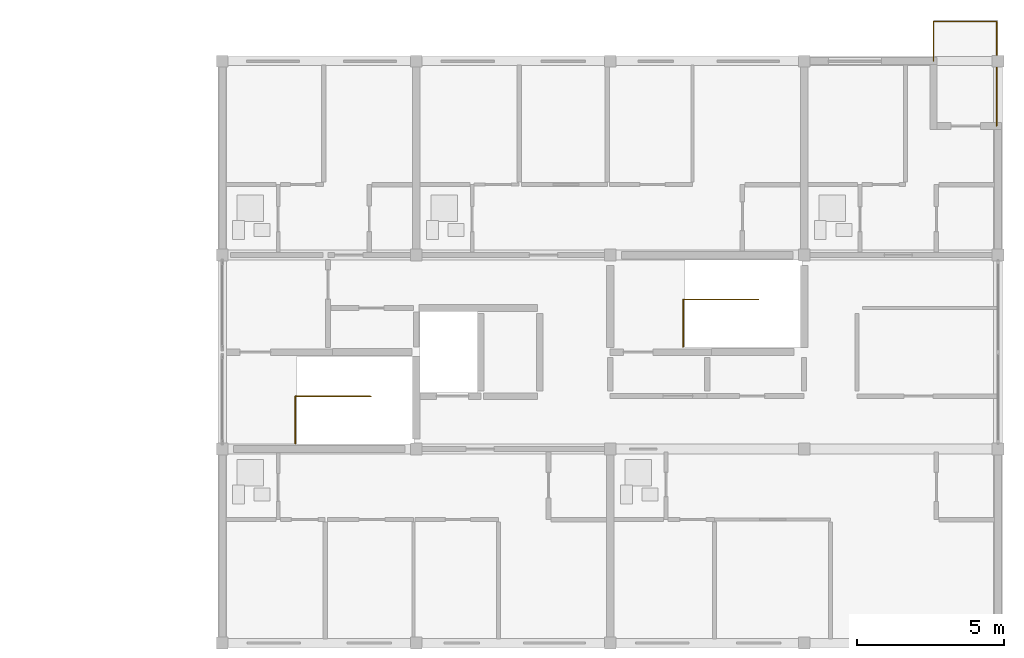
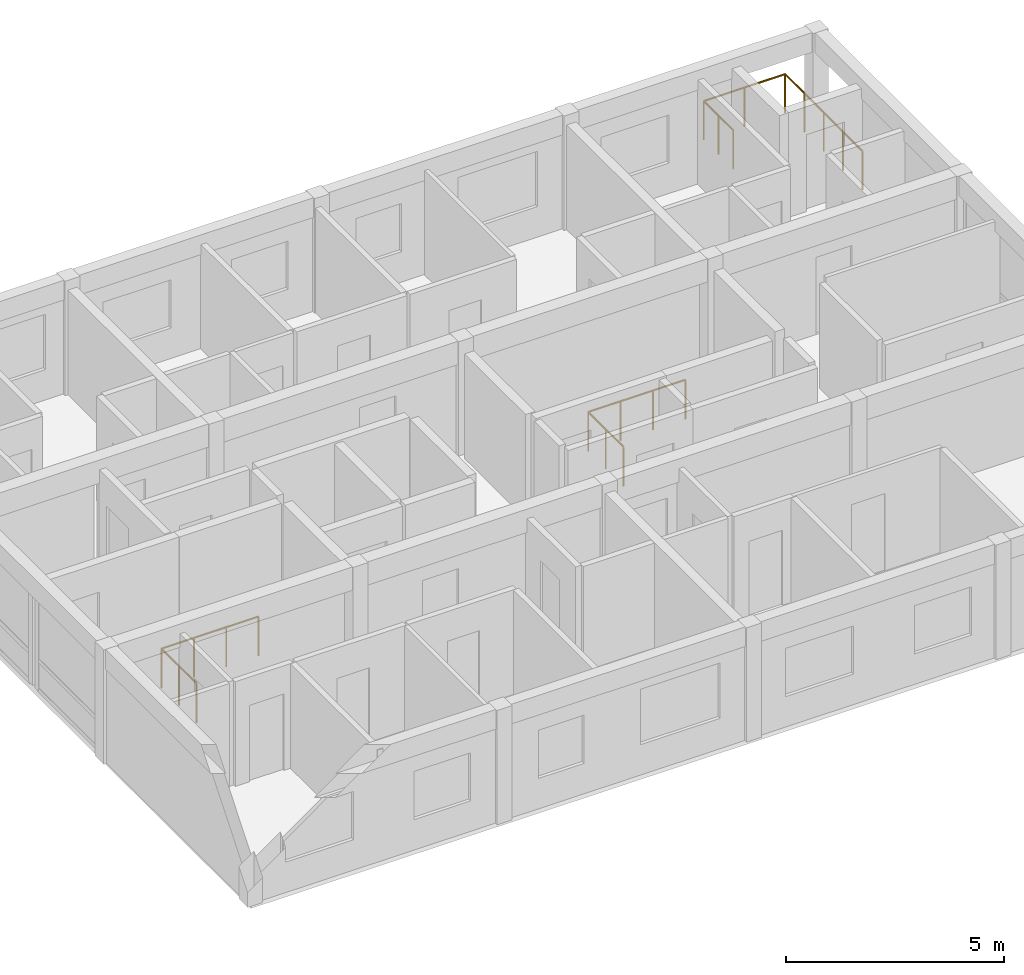
# One storey, part 22 of 23: 3 railings.
"""IFC4 building model written with IfcOpenShell, lengths in metres."""

from ifc_helpers import new_model, si_unit, direction, frame, origin, origin_2d, place, context, subcontext, project, spatial, circle, extrude, material, type_object, element, save


model = new_model("IFC4")

# Units and contexts
model_context = context("Model", 3, precision=1e-05, world=origin(), true_north=direction((0.0, 1.0)))
body_context = subcontext(model_context, "Body", "Model", "MODEL_VIEW")
ifc_project = project(units=[si_unit("LENGTHUNIT", "METRE"), si_unit("AREAUNIT", "SQUARE_METRE"), si_unit("VOLUMEUNIT", "CUBIC_METRE"), si_unit("PLANEANGLEUNIT", "RADIAN"), si_unit("MASSUNIT", "GRAM", prefix="KILO")], contexts=[model_context])

# Site, building, storey
site_placement = place(None, origin())
site = spatial("IfcSite", under=ifc_project, at=site_placement, CompositionType="ELEMENT")
building_placement = place(site_placement, origin())
building = spatial("IfcBuilding", under=site, at=building_placement, Name="Kernevlak Ridge Housing Community", CompositionType="ELEMENT")
storey_placement = place(building_placement, frame((0.0, 0.0, 46.800048828125)))
storey = spatial("IfcBuildingStorey", under=building, at=storey_placement, Name="L14", CompositionType="ELEMENT", Elevation=46.800048828125)

# Railings
ifc_material = material(Name="Steel S355", Category="steel")
railing_type_1 = type_object("IfcRailingType", Name="BL-01", PredefinedType="BALUSTRADE", material=ifc_material)
railing_1_placement = place(storey_placement, frame((143.60009765625, 102.39990234375, 0.0)))
element("IfcRailing", 1, at=railing_1_placement, inside=storey, type_object=railing_type_1, Name="Block B L14 balcony balustrade BL-01 33", PredefinedType="BALUSTRADE", context=body_context, shape_type="SweptSolid", body=[
    extrude(circle(Radius=0.02392578125, at=origin_2d()), frame((0.0, 0.0, 1.076171875), z_axis=(0.0, 1.0, 0.0), x_axis=(-1.0, 0.0, 0.0)), (0.0, 0.0, 1.0), 1.35009765625),
    extrude(circle(Radius=0.02392578125, at=origin_2d()), frame((0.0, 1.35009765625, 1.076171875), z_axis=(1.0, 0.0, 0.0), x_axis=(0.0, 1.0, 0.0)), (0.0, 0.0, 1.0), 2.14990234375),
    extrude(circle(Radius=0.02392578125, at=origin_2d()), frame((2.14990234375, 1.35009765625, 1.076171875), z_axis=(0.0, -1.0, 0.0), x_axis=(1.0, 0.0, 0.0)), (0.0, 0.0, 1.0), 3.550048828125),
    extrude(circle(Radius=0.02099609375, at=origin_2d()), origin(), (0.0, 0.0, 1.0), 1.052001953125),
    extrude(circle(Radius=0.02099609375, at=origin_2d()), frame((0.0, 0.675048828125, 0.0)), (0.0, 0.0, 1.0), 1.052001953125),
    extrude(circle(Radius=0.02099609375, at=origin_2d()), frame((0.0, 1.35009765625, 0.0)), (0.0, 0.0, 1.0), 1.052001953125),
    extrude(circle(Radius=0.02099609375, at=origin_2d()), frame((1.074951171875, 1.35009765625, 0.0)), (0.0, 0.0, 1.0), 1.052001953125),
    extrude(circle(Radius=0.02099609375, at=origin_2d()), frame((2.14990234375, 1.35009765625, 0.0)), (0.0, 0.0, 1.0), 1.052001953125),
    extrude(circle(Radius=0.02099609375, at=origin_2d()), frame((2.14990234375, 0.462646484375, 0.0)), (0.0, 0.0, 1.0), 1.052001953125),
    extrude(circle(Radius=0.02099609375, at=origin_2d()), frame((2.14990234375, -0.4248046875, 0.0)), (0.0, 0.0, 1.0), 1.052001953125),
    extrude(circle(Radius=0.02099609375, at=origin_2d()), frame((2.14990234375, -1.3125, 0.0)), (0.0, 0.0, 1.0), 1.052001953125),
    extrude(circle(Radius=0.02099609375, at=origin_2d()), frame((2.14990234375, -2.199951171875, 0.0)), (0.0, 0.0, 1.0), 1.052001953125),
])
railing_type_2 = type_object("IfcRailingType", Name="GR-02", PredefinedType="GUARDRAIL", material=ifc_material)
railing_2_placement = place(storey_placement, frame((121.8798828125, 89.3798828125, 0.0)))
element("IfcRailing", 2, at=railing_2_placement, inside=storey, type_object=railing_type_2, Name="Stair ST-B1 L14 top well guardrail", PredefinedType="GUARDRAIL", context=body_context, shape_type="SweptSolid", body=[
    extrude(circle(Radius=0.02392578125, at=origin_2d()), frame((0.0, 0.0, 1.09619140625), z_axis=(0.0, 1.0, 0.0), x_axis=(-1.0, 0.0, 0.0)), (0.0, 0.0, 1.0), 1.610107421875),
    extrude(circle(Radius=0.02392578125, at=origin_2d()), frame((0.0, 1.610107421875, 1.09619140625), z_axis=(1.0, 0.0, 0.0), x_axis=(0.0, 1.0, 0.0)), (0.0, 0.0, 1.0), 2.570068359375),
    extrude(circle(Radius=0.02099609375, at=origin_2d()), origin(), (0.0, 0.0, 1.0), 1.072021484375),
    extrude(circle(Radius=0.02099609375, at=origin_2d()), frame((0.0, 0.80517578125, 0.0)), (0.0, 0.0, 1.0), 1.072021484375),
    extrude(circle(Radius=0.02099609375, at=origin_2d()), frame((0.0, 1.610107421875, 0.0)), (0.0, 0.0, 1.0), 1.072021484375),
    extrude(circle(Radius=0.02099609375, at=origin_2d()), frame((0.856689453125, 1.610107421875, 0.0)), (0.0, 0.0, 1.0), 1.072021484375),
    extrude(circle(Radius=0.02099609375, at=origin_2d()), frame((1.71337890625, 1.610107421875, 0.0)), (0.0, 0.0, 1.0), 1.072021484375),
    extrude(circle(Radius=0.02099609375, at=origin_2d()), frame((2.570068359375, 1.610107421875, 0.0)), (0.0, 0.0, 1.0), 1.072021484375),
])
railing_3_placement = place(storey_placement, frame((135.080078125, 92.679931640625, 0.0)))
element("IfcRailing", 3, at=railing_3_placement, inside=storey, type_object=railing_type_2, Name="Stair ST-B2 L14 top well guardrail", PredefinedType="GUARDRAIL", context=body_context, shape_type="SweptSolid", body=[
    extrude(circle(Radius=0.02392578125, at=origin_2d()), frame((0.0, 0.0, 1.09619140625), z_axis=(0.0, 1.0, 0.0), x_axis=(-1.0, 0.0, 0.0)), (0.0, 0.0, 1.0), 1.610107421875),
    extrude(circle(Radius=0.02392578125, at=origin_2d()), frame((0.0, 1.610107421875, 1.09619140625), z_axis=(1.0, 0.0, 0.0), x_axis=(0.0, 1.0, 0.0)), (0.0, 0.0, 1.0), 2.56982421875),
    extrude(circle(Radius=0.02099609375, at=origin_2d()), origin(), (0.0, 0.0, 1.0), 1.072021484375),
    extrude(circle(Radius=0.02099609375, at=origin_2d()), frame((0.0, 0.80517578125, 0.0)), (0.0, 0.0, 1.0), 1.072021484375),
    extrude(circle(Radius=0.02099609375, at=origin_2d()), frame((0.0, 1.610107421875, 0.0)), (0.0, 0.0, 1.0), 1.072021484375),
    extrude(circle(Radius=0.02099609375, at=origin_2d()), frame((0.856689453125, 1.610107421875, 0.0)), (0.0, 0.0, 1.0), 1.072021484375),
    extrude(circle(Radius=0.02099609375, at=origin_2d()), frame((1.713134765625, 1.610107421875, 0.0)), (0.0, 0.0, 1.0), 1.072021484375),
    extrude(circle(Radius=0.02099609375, at=origin_2d()), frame((2.56982421875, 1.610107421875, 0.0)), (0.0, 0.0, 1.0), 1.072021484375),
])

save(model, "model.ifc")
